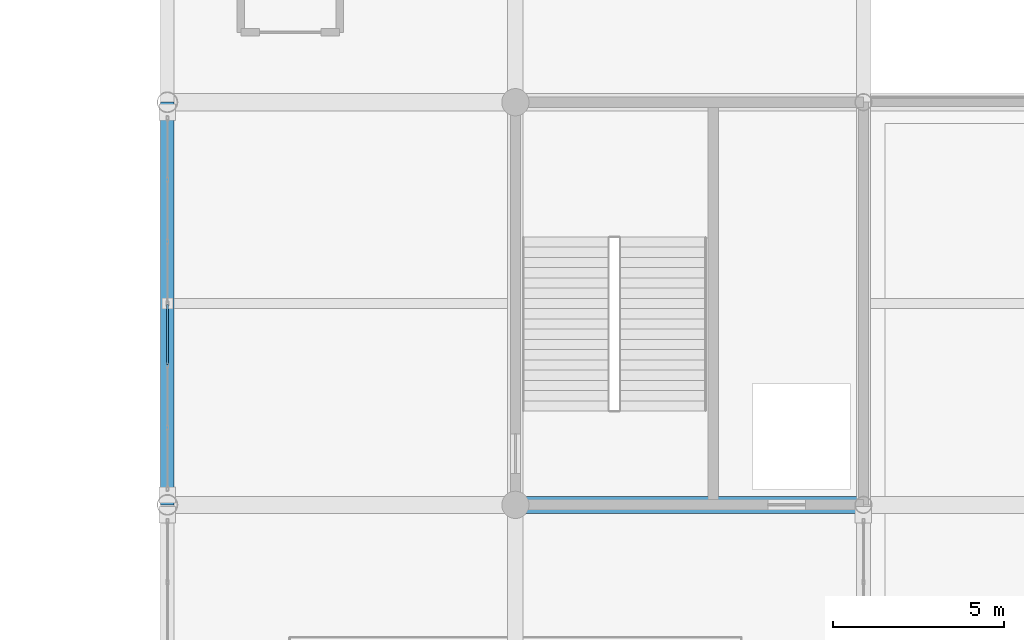
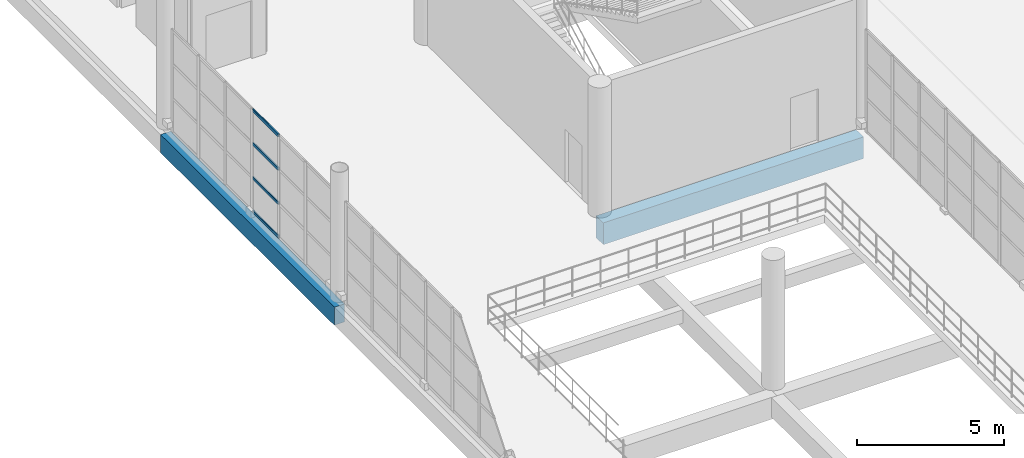
# One storey, part 69 of 175: 4 members, 2 beams, 1 element without a shape of its own.
"""IFC4 building model written with IfcOpenShell, lengths in metres."""

from ifc_helpers import new_model, si_unit, direction, frame, origin, origin_2d, place, context, subcontext, project, spatial, rectangle, hollow_rectangle, extrude, material, material_profile, profile_set, type_object, element, aggregate, save


model = new_model("IFC4")

# Units and contexts
model_context = context("Model", 3, precision=1e-05, world=origin(), true_north=direction((0.0, 1.0)))
body_context = subcontext(model_context, "Body", "Model", "MODEL_VIEW")
ifc_project = project(units=[si_unit("LENGTHUNIT", "METRE"), si_unit("AREAUNIT", "SQUARE_METRE"), si_unit("VOLUMEUNIT", "CUBIC_METRE"), si_unit("PLANEANGLEUNIT", "RADIAN"), si_unit("MASSUNIT", "GRAM", prefix="KILO")], contexts=[model_context])

# Site, building, storey
site_placement = place(None, origin())
site = spatial("IfcSite", under=ifc_project, at=site_placement, CompositionType="ELEMENT")
building_placement = place(site_placement, origin())
building = spatial("IfcBuilding", under=site, at=building_placement, Name="Brelvane Convention Centre", CompositionType="ELEMENT")
storey_placement = place(building_placement, frame((0.0, 0.0, 5.39990234375)))
storey = spatial("IfcBuildingStorey", under=building, at=storey_placement, Name="L01", CompositionType="ELEMENT", Elevation=5.39990234375)

# Curtain wall, members
ifc_material_1 = material(Name="Anodised Aluminium Alloy 6063-T6", Category="aluminium")
curtain_wall_type = type_object("IfcCurtainWallType", Name="Curtain Wall CW-CONC", PredefinedType="USERDEFINED", material=ifc_material_1)
curtain_wall_placement = place(storey_placement, origin())
curtain_wall = element("IfcCurtainWall", 1, at=curtain_wall_placement, inside=storey, type_object=curtain_wall_type, Name="Curtain Wall CW-CONC L01-GAL-ATRIUM-W-4", ObjectType="UNITISED", PredefinedType="USERDEFINED")
ifc_material_2 = material(Name="Anodised Aluminium Alloy 6063-T6", Category="aluminium")
ifc_material_profile_1 = material_profile(ifc_material_2, hollow_rectangle(XDim=0.06005859375, YDim=0.1201171875, WallThickness=0.00390625, InnerFilletRadius=0.00390625, OuterFilletRadius=0.008056640625, at=origin_2d()), Name="ALU-T 120x60x4.0")
ifc_profile_set_1 = profile_set([ifc_material_profile_1], Name="Anodised Aluminium Alloy 6063-T6")
member_type = type_object("IfcMemberType", Name="Curtain Transom CW-T3", PredefinedType="USERDEFINED", material=ifc_profile_set_1)
member_1_placement = place(storey_placement, frame((142.800048828125, 80.11572265625, 0.030029296875), z_axis=(0.0, 1.0, 0.0), x_axis=(-1.0, 0.0, 0.0)))
member_1 = element("IfcMember", 2, at=member_1_placement, type_object=member_type, Name="CW-CONC transom 3.1", ObjectType="TRANSOM", PredefinedType="USERDEFINED", context=body_context, shape_type="SweptSolid", body=[
    extrude(hollow_rectangle(XDim=0.06005859375, YDim=0.1201171875, WallThickness=0.00390625, InnerFilletRadius=0.00390625, OuterFilletRadius=0.008056640625, at=origin_2d()), origin(), (0.0, 0.0, 1.0), 1.751708984375),
])
member_2_placement = place(storey_placement, frame((142.800048828125, 80.11572265625, 1.416748046875), z_axis=(0.0, 1.0, 0.0), x_axis=(-1.0, 0.0, 0.0)))
member_2 = element("IfcMember", 3, at=member_2_placement, type_object=member_type, Name="CW-CONC transom 3.2", ObjectType="TRANSOM", PredefinedType="USERDEFINED", context=body_context, shape_type="SweptSolid", body=[
    extrude(hollow_rectangle(XDim=0.06005859375, YDim=0.1201171875, WallThickness=0.00390625, InnerFilletRadius=0.00390625, OuterFilletRadius=0.008056640625, at=origin_2d()), origin(), (0.0, 0.0, 1.0), 1.751708984375),
])
member_3_placement = place(storey_placement, frame((142.800048828125, 80.11572265625, 2.83349609375), z_axis=(0.0, 1.0, 0.0), x_axis=(-1.0, 0.0, 0.0)))
member_3 = element("IfcMember", 4, at=member_3_placement, type_object=member_type, Name="CW-CONC transom 3.3", ObjectType="TRANSOM", PredefinedType="USERDEFINED", context=body_context, shape_type="SweptSolid", body=[
    extrude(hollow_rectangle(XDim=0.06005859375, YDim=0.1201171875, WallThickness=0.00390625, InnerFilletRadius=0.00390625, OuterFilletRadius=0.008056640625, at=origin_2d()), origin(), (0.0, 0.0, 1.0), 1.751708984375),
])
member_4_placement = place(storey_placement, frame((142.800048828125, 80.11572265625, 4.22021484375), z_axis=(0.0, 1.0, 0.0), x_axis=(-1.0, 0.0, 0.0)))
member_4 = element("IfcMember", 5, at=member_4_placement, type_object=member_type, Name="CW-CONC transom 3.4", ObjectType="TRANSOM", PredefinedType="USERDEFINED", context=body_context, shape_type="SweptSolid", body=[
    extrude(hollow_rectangle(XDim=0.06005859375, YDim=0.1201171875, WallThickness=0.00390625, InnerFilletRadius=0.00390625, OuterFilletRadius=0.008056640625, at=origin_2d()), origin(), (0.0, 0.0, 1.0), 1.751708984375),
])
aggregate(curtain_wall, [member_1, member_2, member_3, member_4])

# Beams
ifc_material_3 = material(Name="Concrete M40", Category="concrete")
ifc_material_profile_2 = material_profile(ifc_material_3, rectangle(XDim=0.5, YDim=0.89990234375, at=origin_2d()), Name="RC 500x900")
ifc_profile_set_2 = profile_set([ifc_material_profile_2], Name="Concrete M40")
beam_type_1 = type_object("IfcBeamType", Name="RC Beam B-RC4 (RC 500x900)", PredefinedType="BEAM", material=ifc_profile_set_2)
beam_1_placement = place(storey_placement, frame((153.0, 76.0, -0.77978515625), z_axis=(1.0, 0.0, 0.0), x_axis=(0.0, 1.0, 0.0)))
element("IfcBeam", 6, at=beam_1_placement, inside=storey, type_object=beam_type_1, Name="L01 Beam 16-17/H", PredefinedType="BEAM", context=body_context, shape_type="SweptSolid", body=[
    extrude(rectangle(XDim=0.5, YDim=0.89990234375, at=origin_2d()), origin(), (0.0, 0.0, 1.0), 10.199951171875),
])
ifc_material_4 = material(Name="Concrete M40", Category="concrete")
ifc_material_profile_3 = material_profile(ifc_material_4, rectangle(XDim=0.39990234375, YDim=0.75, at=origin_2d()), Name="RC 400x750")
ifc_profile_set_3 = profile_set([ifc_material_profile_3], Name="Concrete M40")
beam_type_2 = type_object("IfcBeamType", Name="RC Spandrel SP-RC1 (RC 400x750)", PredefinedType="SPANDREL", material=ifc_profile_set_3)
beam_2_placement = place(storey_placement, frame((142.800048828125, 76.0, -0.704833984375), z_axis=(0.0, 1.0, 0.0), x_axis=(-1.0, 0.0, 0.0)))
element("IfcBeam", 7, at=beam_2_placement, inside=storey, type_object=beam_type_2, Name="L01 Girder 15/H-J", PredefinedType="SPANDREL", context=body_context, shape_type="SweptSolid", body=[
    extrude(rectangle(XDim=0.39990234375, YDim=0.75, at=origin_2d()), origin(), (0.0, 0.0, 1.0), 11.800048828125),
])

save(model, "model.ifc")
